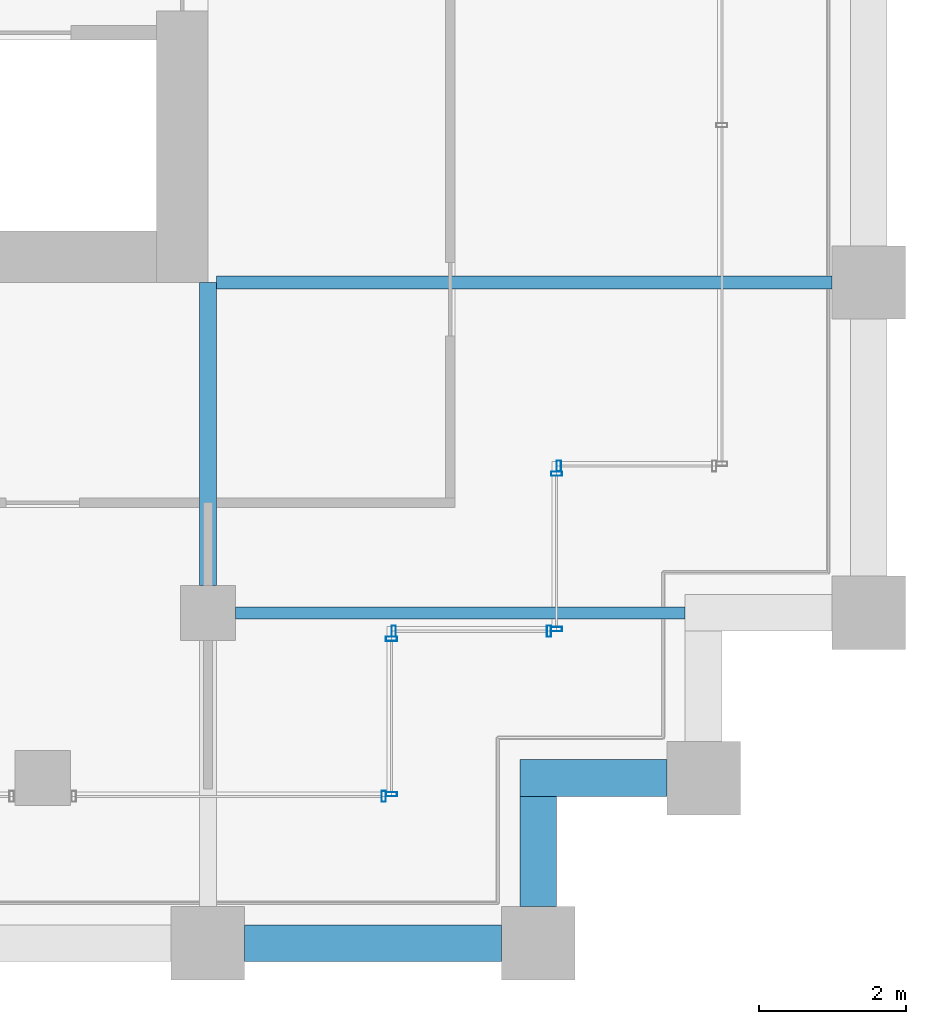
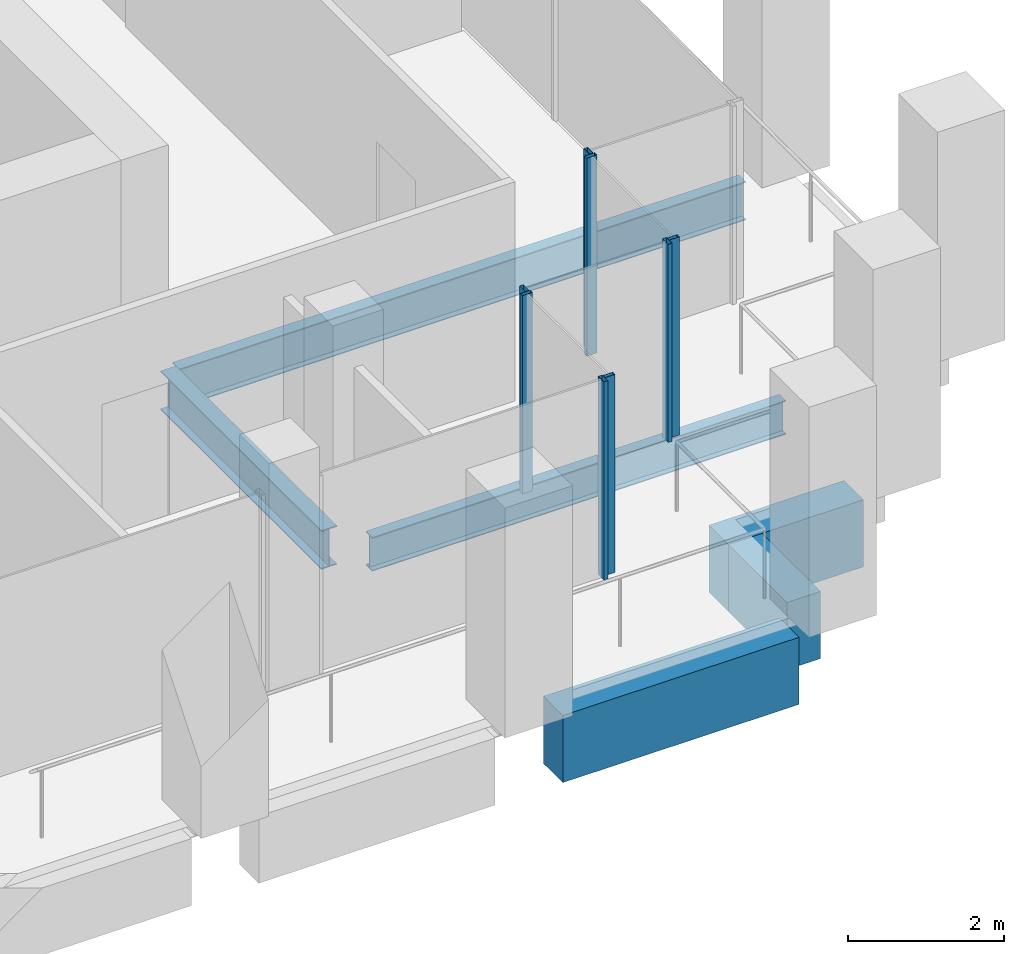
# One storey, part 32 of 46: 8 members, 6 beams, 5 elements without a shape of their own.
"""IFC4 building model written with IfcOpenShell, lengths in metres."""

from ifc_helpers import new_model, si_unit, direction, frame, origin, origin_2d, place, context, subcontext, project, spatial, rectangle, hollow_rectangle, i_section, extrude, material, material_profile, profile_set, type_object, element, aggregate, save


model = new_model("IFC4")

# Units and contexts
model_context = context("Model", 3, precision=1e-05, world=origin(), true_north=direction((0.0, 1.0)))
body_context = subcontext(model_context, "Body", "Model", "MODEL_VIEW")
ifc_project = project(units=[si_unit("LENGTHUNIT", "METRE"), si_unit("AREAUNIT", "SQUARE_METRE"), si_unit("VOLUMEUNIT", "CUBIC_METRE"), si_unit("PLANEANGLEUNIT", "RADIAN"), si_unit("MASSUNIT", "GRAM", prefix="KILO")], contexts=[model_context])

# Site, building, storey
site_placement = place(None, origin())
site = spatial("IfcSite", under=ifc_project, at=site_placement, CompositionType="ELEMENT")
building_placement = place(site_placement, origin())
building = spatial("IfcBuilding", under=site, at=building_placement, Name="Altepetl Exchange Towers", CompositionType="ELEMENT")
storey_placement = place(building_placement, frame((0.0, 0.0, 124.39990234375)))
storey = spatial("IfcBuildingStorey", under=building, at=storey_placement, Name="L30", CompositionType="ELEMENT", Elevation=124.39990234375)

# Beams
ifc_material_1 = material(Name="Steel S355", Category="steel")
ifc_material_profile_1 = material_profile(ifc_material_1, i_section(OverallWidth=0.166015625, OverallDepth=0.529052734375, WebThickness=0.009765625, FlangeThickness=0.013671875, at=origin_2d()), Name="W21X50")
ifc_profile_set_1 = profile_set([ifc_material_profile_1], Name="Steel S355")
beam_type_1 = type_object("IfcBeamType", Name="Floor beam W21X50", PredefinedType="BEAM", material=ifc_profile_set_1)
beam_1_placement = place(storey_placement, frame((117.375, 31.5, -0.414306640625), z_axis=(1.0, 0.0, 0.0), x_axis=(0.0, 1.0, 0.0)))
element("IfcBeam", 1, at=beam_1_placement, inside=storey, type_object=beam_type_1, Name="bm:B:L30:000", PredefinedType="BEAM", context=body_context, shape_type="SweptSolid", body=[
    extrude(i_section(OverallWidth=0.166015625, OverallDepth=0.529052734375, WebThickness=0.009765625, FlangeThickness=0.013671875, at=origin_2d()), origin(), (0.0, 0.0, 1.0), 6.125),
])
ifc_material_profile_2 = material_profile(ifc_material_1, i_section(OverallWidth=0.177978515625, OverallDepth=0.59912109375, WebThickness=0.010009765625, FlangeThickness=0.0126953125, at=origin_2d()), Name="W24X55")
ifc_profile_set_2 = profile_set([ifc_material_profile_2], Name="Steel S355")
beam_type_2 = type_object("IfcBeamType", Name="Floor beam W24X55", PredefinedType="BEAM", material=ifc_profile_set_2)
beam_2_placement = place(storey_placement, frame((117.114013671875, 36.0, -0.449462890625), z_axis=(1.0, 0.0, 0.0), x_axis=(0.0, 1.0, 0.0)))
element("IfcBeam", 2, at=beam_2_placement, inside=storey, type_object=beam_type_2, Name="bm:B:L30:001", PredefinedType="BEAM", context=body_context, shape_type="SweptSolid", body=[
    extrude(i_section(OverallWidth=0.177978515625, OverallDepth=0.59912109375, WebThickness=0.010009765625, FlangeThickness=0.0126953125, at=origin_2d()), origin(), (0.0, 0.0, 1.0), 8.385986328125),
])
ifc_material_profile_3 = material_profile(ifc_material_1, i_section(OverallWidth=0.22802734375, OverallDepth=0.60791015625, WebThickness=0.01123046875, FlangeThickness=0.017333984375, at=origin_2d()), Name="W24X76")
ifc_profile_set_3 = profile_set([ifc_material_profile_3], Name="Steel S355")
beam_type_3 = type_object("IfcBeamType", Name="Girder W24X76", PredefinedType="BEAM", material=ifc_profile_set_3)
beam_3_placement = place(storey_placement, frame((117.0, 36.0, -0.453857421875), z_axis=(0.0, -1.0, 0.0), x_axis=(1.0, 0.0, 0.0)))
element("IfcBeam", 3, at=beam_3_placement, inside=storey, type_object=beam_type_3, Name="gd:B:L30:000", PredefinedType="BEAM", context=body_context, shape_type="SweptSolid", body=[
    extrude(i_section(OverallWidth=0.22802734375, OverallDepth=0.60791015625, WebThickness=0.01123046875, FlangeThickness=0.017333984375, at=origin_2d()), origin(), (0.0, 0.0, 1.0), 4.125),
])

# Curtain wall, member
ifc_material_2 = material(Name="Aluminium 6063-T6 glazing", Category="aluminium")
curtain_wall_type = type_object("IfcCurtainWallType", Name="Loggia glazing system", PredefinedType="NOTDEFINED", material=ifc_material_2)
curtain_wall_1_placement = place(storey_placement, origin())
curtain_wall_1 = element("IfcCurtainWall", 4, at=curtain_wall_1_placement, inside=storey, type_object=curtain_wall_type, Name="CW1 run", PredefinedType="NOTDEFINED")
ifc_material_3 = material(Name="Aluminium 6063-T6", Category="aluminium")
ifc_material_profile_4 = material_profile(ifc_material_3, hollow_rectangle(XDim=0.06005859375, YDim=0.14990234375, WallThickness=0.0029296875, at=origin_2d()), Name="Mullion 60x150 aluminium")
ifc_profile_set_4 = profile_set([ifc_material_profile_4], Name="Aluminium 6063-T6")
member_type = type_object("IfcMemberType", Name="Mullion 60x150 aluminium", PredefinedType="MULLION", material=ifc_profile_set_4)
member_1_placement = place(storey_placement, frame((119.39501953125, 29.0, 0.0)))
member_1 = element("IfcMember", 5, at=member_1_placement, type_object=member_type, Name="MU1 mullion", PredefinedType="MULLION", context=body_context, shape_type="SweptSolid", body=[
    extrude(hollow_rectangle(XDim=0.06005859375, YDim=0.14990234375, WallThickness=0.0029296875, at=origin_2d()), origin(), (0.0, 0.0, 1.0), 3.10009765625),
])
aggregate(curtain_wall_1, [member_1])

# Curtain wall, members
curtain_wall_2_placement = place(storey_placement, origin())
curtain_wall_2 = element("IfcCurtainWall", 6, at=curtain_wall_2_placement, inside=storey, type_object=curtain_wall_type, Name="CW1 run", PredefinedType="NOTDEFINED")
member_2_placement = place(storey_placement, frame((119.5, 29.030029296875, 0.0), z_axis=(0.0, 0.0, 1.0), x_axis=(0.0, 1.0, 0.0)))
member_2 = element("IfcMember", 7, at=member_2_placement, type_object=member_type, Name="MU1 mullion", PredefinedType="MULLION", context=body_context, shape_type="SweptSolid", body=[
    extrude(hollow_rectangle(XDim=0.06005859375, YDim=0.14990234375, WallThickness=0.0029296875, at=origin_2d()), origin(), (0.0, 0.0, 1.0), 3.10009765625),
])
member_3_placement = place(storey_placement, frame((119.5, 31.14501953125, 0.0), z_axis=(0.0, 0.0, 1.0), x_axis=(0.0, 1.0, 0.0)))
member_3 = element("IfcMember", 8, at=member_3_placement, type_object=member_type, Name="MU1 mullion", PredefinedType="MULLION", context=body_context, shape_type="SweptSolid", body=[
    extrude(hollow_rectangle(XDim=0.06005859375, YDim=0.14990234375, WallThickness=0.0029296875, at=origin_2d()), origin(), (0.0, 0.0, 1.0), 3.10009765625),
])
aggregate(curtain_wall_2, [member_2, member_3])

curtain_wall_3_placement = place(storey_placement, origin())
curtain_wall_3 = element("IfcCurtainWall", 9, at=curtain_wall_3_placement, inside=storey, type_object=curtain_wall_type, Name="CW1 run", PredefinedType="NOTDEFINED")
member_4_placement = place(storey_placement, frame((119.530029296875, 31.25, 0.0)))
member_4 = element("IfcMember", 10, at=member_4_placement, type_object=member_type, Name="MU1 mullion", PredefinedType="MULLION", context=body_context, shape_type="SweptSolid", body=[
    extrude(hollow_rectangle(XDim=0.06005859375, YDim=0.14990234375, WallThickness=0.0029296875, at=origin_2d()), origin(), (0.0, 0.0, 1.0), 3.10009765625),
])
member_5_placement = place(storey_placement, frame((121.64501953125, 31.25, 0.0)))
member_5 = element("IfcMember", 11, at=member_5_placement, type_object=member_type, Name="MU1 mullion", PredefinedType="MULLION", context=body_context, shape_type="SweptSolid", body=[
    extrude(hollow_rectangle(XDim=0.06005859375, YDim=0.14990234375, WallThickness=0.0029296875, at=origin_2d()), origin(), (0.0, 0.0, 1.0), 3.10009765625),
])
aggregate(curtain_wall_3, [member_4, member_5])

curtain_wall_4_placement = place(storey_placement, origin())
curtain_wall_4 = element("IfcCurtainWall", 12, at=curtain_wall_4_placement, inside=storey, type_object=curtain_wall_type, Name="CW1 run", PredefinedType="NOTDEFINED")
member_6_placement = place(storey_placement, frame((121.75, 31.280029296875, 0.0), z_axis=(0.0, 0.0, 1.0), x_axis=(0.0, 1.0, 0.0)))
member_6 = element("IfcMember", 13, at=member_6_placement, type_object=member_type, Name="MU1 mullion", PredefinedType="MULLION", context=body_context, shape_type="SweptSolid", body=[
    extrude(hollow_rectangle(XDim=0.06005859375, YDim=0.14990234375, WallThickness=0.0029296875, at=origin_2d()), origin(), (0.0, 0.0, 1.0), 3.10009765625),
])
member_7_placement = place(storey_placement, frame((121.75, 33.39501953125, 0.0), z_axis=(0.0, 0.0, 1.0), x_axis=(0.0, 1.0, 0.0)))
member_7 = element("IfcMember", 14, at=member_7_placement, type_object=member_type, Name="MU1 mullion", PredefinedType="MULLION", context=body_context, shape_type="SweptSolid", body=[
    extrude(hollow_rectangle(XDim=0.06005859375, YDim=0.14990234375, WallThickness=0.0029296875, at=origin_2d()), origin(), (0.0, 0.0, 1.0), 3.10009765625),
])
aggregate(curtain_wall_4, [member_6, member_7])

# Curtain wall, member
curtain_wall_5_placement = place(storey_placement, origin())
curtain_wall_5 = element("IfcCurtainWall", 15, at=curtain_wall_5_placement, inside=storey, type_object=curtain_wall_type, Name="CW1 run", PredefinedType="NOTDEFINED")
member_8_placement = place(storey_placement, frame((121.780029296875, 33.5, 0.0)))
member_8 = element("IfcMember", 16, at=member_8_placement, type_object=member_type, Name="MU1 mullion", PredefinedType="MULLION", context=body_context, shape_type="SweptSolid", body=[
    extrude(hollow_rectangle(XDim=0.06005859375, YDim=0.14990234375, WallThickness=0.0029296875, at=origin_2d()), origin(), (0.0, 0.0, 1.0), 3.10009765625),
])
aggregate(curtain_wall_5, [member_8])

# Beams
ifc_material_4 = material(Name="Concrete C50/60 precast with cantera blanca facing", Category="concrete")
ifc_material_profile_5 = material_profile(ifc_material_4, rectangle(XDim=0.5, YDim=1.050048828125, at=origin_2d()), Name="500 x 1050")
ifc_profile_set_5 = profile_set([ifc_material_profile_5], Name="Concrete C50/60 precast with cantera blanca facing")
beam_type_4 = type_object("IfcBeamType", Name="Spandrel beam 500x1050 cantera blanca", PredefinedType="SPANDREL", material=ifc_profile_set_5)
beam_4_placement = place(storey_placement, frame((117.5, 27.0, -0.6748046875), z_axis=(1.0, 0.0, 0.0), x_axis=(0.0, 1.0, 0.0)))
element("IfcBeam", 17, at=beam_4_placement, inside=storey, type_object=beam_type_4, Name="sp:B:L30:004", PredefinedType="SPANDREL", context=body_context, shape_type="SweptSolid", body=[
    extrude(rectangle(XDim=0.5, YDim=1.050048828125, at=origin_2d()), origin(), (0.0, 0.0, 1.0), 3.5),
])
beam_5_placement = place(storey_placement, frame((121.5, 27.5, -0.6748046875), z_axis=(0.0, 1.0, 0.0), x_axis=(-1.0, 0.0, 0.0)))
element("IfcBeam", 18, at=beam_5_placement, inside=storey, type_object=beam_type_4, Name="sp:B:L30:005", PredefinedType="SPANDREL", context=body_context, shape_type="SweptSolid", body=[
    extrude(rectangle(XDim=0.5, YDim=1.050048828125, at=origin_2d()), origin(), (0.0, 0.0, 1.0), 1.5),
])
beam_6_placement = place(storey_placement, frame((121.25, 29.25, -0.6748046875), z_axis=(1.0, 0.0, 0.0), x_axis=(0.0, 1.0, 0.0)))
element("IfcBeam", 19, at=beam_6_placement, inside=storey, type_object=beam_type_4, Name="sp:B:L30:006", PredefinedType="SPANDREL", context=body_context, shape_type="SweptSolid", body=[
    extrude(rectangle(XDim=0.5, YDim=1.050048828125, at=origin_2d()), origin(), (0.0, 0.0, 1.0), 2.0),
])

save(model, "model.ifc")
